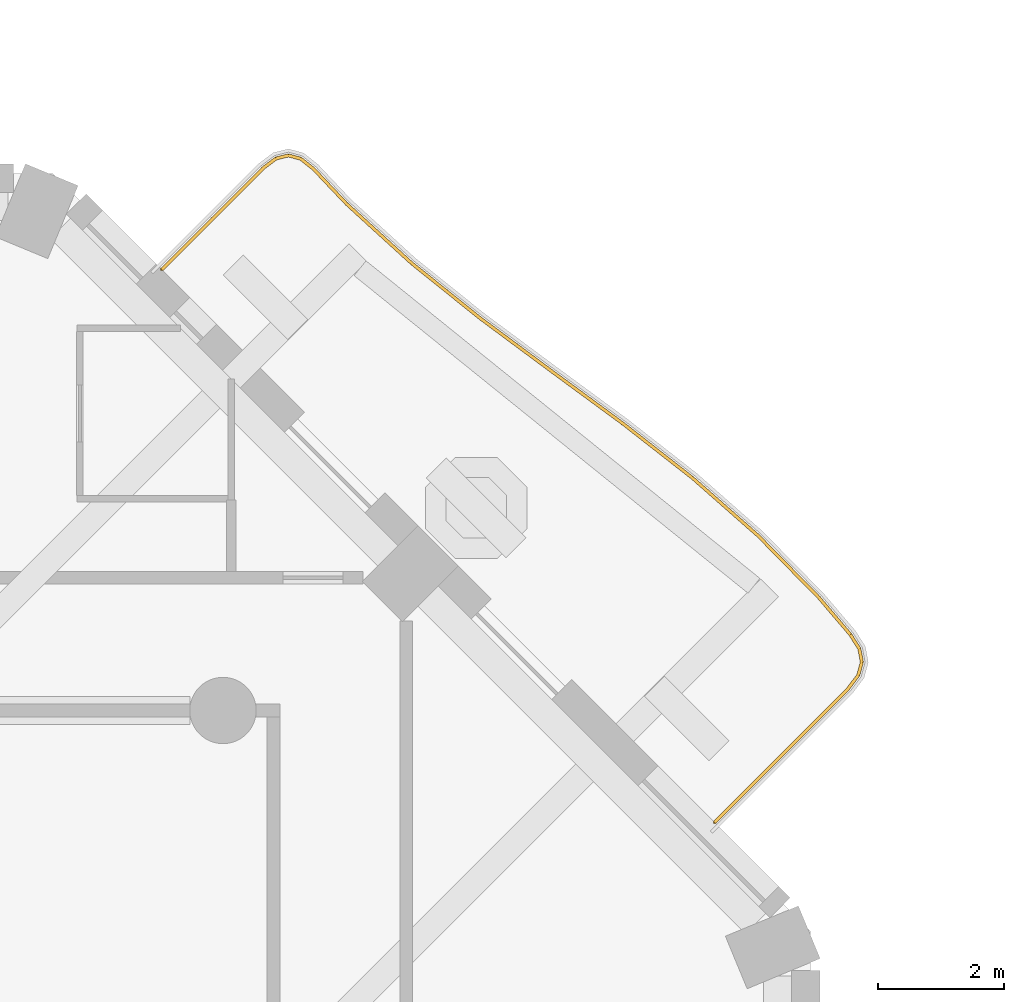
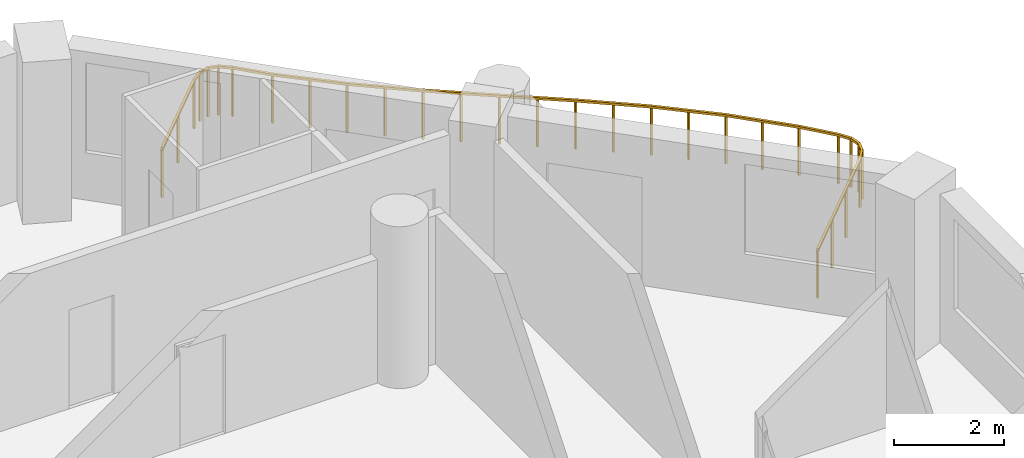
# One storey, part 18 of 19: 1 railing.
"""IFC4 building model written with IfcOpenShell, lengths in metres."""

import ifcopenshell
import ifcopenshell.guid

model = None  # the IFC model being written
_history = None  # IfcOwnerHistory: only IFC2X3 demands one
_inside = {}  # id of a spatial element -> (the spatial element, [elements in it])
_under = {}  # id of a project, library or spatial element -> (it, [spatial elements below it])
_declared = {}  # id of a project -> (the project, [libraries it declares])
_typed = {}  # id of a type object -> (the type object, [elements of that type])
_made_of = {}  # id of a material, layer set ... -> (it, [elements and type objects made of it])


def new_model(schema):
    """Start an empty IFC model of exactly this schema.

    Asked for "IFC4X3", IfcOpenShell would pick the latest addendum, in which some entities
    have other attributes; the version numbers below select the first issue.
    IFC2X3 requires an IfcOwnerHistory on every rooted entity: one is made here for all.
    """
    global model, _history
    if schema == "IFC4X3":
        model = ifcopenshell.file(schema_version=(4, 3, 0, 0))
    else:
        model = ifcopenshell.file(schema=schema)
    _inside.clear()
    _under.clear()
    _declared.clear()
    _typed.clear()
    _made_of.clear()
    _history = None
    if model.schema == "IFC2X3":
        org = make("IfcOrganization", Name="unknown")
        user = make(
            "IfcPersonAndOrganization",
            ThePerson=make("IfcPerson", FamilyName="unknown"),
            TheOrganization=org,
        )
        app = make(
            "IfcApplication",
            ApplicationDeveloper=org,
            Version="unknown",
            ApplicationFullName="unknown",
            ApplicationIdentifier="unknown",
        )
        _history = make(
            "IfcOwnerHistory",
            OwningUser=user,
            OwningApplication=app,
            ChangeAction="ADDED",
            CreationDate=0,
        )
    return model


def make(cls, **values):
    """One entity of the class cls with the attributes given. An attribute that is None is left unset."""
    return model.create_entity(
        cls, **{name: value for name, value in values.items() if value is not None}
    )


def rooted(cls, **values):
    """An entity with a GlobalId (a new one), such as an element, a storey or a relation."""
    return make(cls, GlobalId=ifcopenshell.guid.new(), OwnerHistory=_history, **values)


def si_unit(unit_type, name, prefix=None):
    """IfcSIUnit, for example si_unit("LENGTHUNIT", "METRE", prefix="MILLI")."""
    return make("IfcSIUnit", UnitType=unit_type, Prefix=prefix, Name=name)


def assignment(units):
    """IfcUnitAssignment: the units of a project."""
    return None if units is None else make("IfcUnitAssignment", Units=units)


def point(xyz):
    """IfcCartesianPoint."""
    return None if xyz is None else make("IfcCartesianPoint", Coordinates=xyz)


def direction(xyz):
    """IfcDirection."""
    return None if xyz is None else make("IfcDirection", DirectionRatios=xyz)


def frame(location, z_axis=None, x_axis=None):
    """IfcAxis2Placement3D, a coordinate frame: its origin and axes. An axis left out is left unset."""
    return make(
        "IfcAxis2Placement3D",
        Location=point(location),
        Axis=direction(z_axis),
        RefDirection=direction(x_axis),
    )


def frame_2d(location, x_axis=None):
    """IfcAxis2Placement2D, a coordinate frame in the plane: its origin and x axis."""
    return make(
        "IfcAxis2Placement2D", Location=point(location), RefDirection=direction(x_axis)
    )


def origin():
    """The frame at (0, 0, 0) with its axes left unset."""
    return frame((0.0, 0.0, 0.0))


def origin_2d():
    """The frame at (0, 0) in the plane with its x axis left unset."""
    return frame_2d((0.0, 0.0))


def place(relative_to, where):
    """IfcLocalPlacement: puts the frame where relative to a parent placement (None: the world)."""
    return make(
        "IfcLocalPlacement", PlacementRelTo=relative_to, RelativePlacement=where
    )


def context(
    kind, dimensions, precision=None, world=None, true_north=None, identifier=None
):
    """IfcGeometricRepresentationContext, for example the 3D "Model" context."""
    return make(
        "IfcGeometricRepresentationContext",
        ContextIdentifier=identifier,
        ContextType=kind,
        CoordinateSpaceDimension=dimensions,
        Precision=precision,
        WorldCoordinateSystem=world,
        TrueNorth=true_north,
    )


def subcontext(parent, identifier, kind, view, scale=None):
    """IfcGeometricRepresentationSubContext, for example "Body" below "Model"."""
    return make(
        "IfcGeometricRepresentationSubContext",
        ContextIdentifier=identifier,
        ContextType=kind,
        ParentContext=parent,
        TargetScale=scale,
        TargetView=view,
    )


def project(units=None, contexts=None):
    """IfcProject with its units and contexts."""
    return rooted(
        "IfcProject",
        Name="project",
        RepresentationContexts=contexts,
        UnitsInContext=assignment(units),
    )


def spatial(cls, under=None, at=None, **own):
    """A site, building, storey or space (cls), placed at a placement, below another one or the project."""
    s = rooted(cls, ObjectPlacement=at, **own)
    if under is not None:
        _under.setdefault(under.id(), (under, []))[1].append(s)
    return s


def profile(cls, at=None, kind="AREA", **sizes):
    """A parametric profile (cls). Its sizes go by their IFC names, for example OverallWidth=200.0."""
    return make(cls, ProfileType=kind, Position=at, **sizes)


def rectangle(**sizes):
    """IfcRectangleProfileDef."""
    return profile("IfcRectangleProfileDef", **sizes)


def extrude(swept, where, along, depth):
    """IfcExtrudedAreaSolid: the profile swept, set in the frame where, extruded along a direction by depth."""
    return make(
        "IfcExtrudedAreaSolid",
        SweptArea=swept,
        Position=where,
        ExtrudedDirection=direction(along),
        Depth=depth,
    )


def shape(context_of_items, identifier, shape_type, items):
    """IfcShapeRepresentation: the items that make up one representation, for example the "Body"."""
    return make(
        "IfcShapeRepresentation",
        ContextOfItems=context_of_items,
        RepresentationIdentifier=identifier,
        RepresentationType=shape_type,
        Items=items,
    )


def material(Name=None, Category=None):
    """IfcMaterial."""
    return make("IfcMaterial", Name=Name, Category=Category)


def made_of(thing, what):
    """Note that an element or type object is made of a material, layer set ...; save() writes the relation."""
    if what is not None:
        _made_of.setdefault(what.id(), (what, []))[1].append(thing)
    return thing


def type_object(cls, material=None, **own):
    """A type object (cls), such as IfcWallType, which elements share."""
    return made_of(rooted(cls, **own), material)


def element(
    cls,
    number,
    at=None,
    inside=None,
    cuts=None,
    type_object=None,
    material=None,
    context=None,
    identifier="Body",
    shape_type=None,
    held_by="IfcProductDefinitionShape",
    body=None,
    shapes=None,
    **own,
):
    """One element of the class cls, such as IfcWall. Its Tag is "e" and its number.

    at: its placement. inside: the storey or other place that contains it. cuts: it is an
    opening in that element (IfcRelVoidsElement). A single representation is given by context,
    identifier, shape_type and body (its items); several are given by shapes. held_by: the class
    of the entity that holds the representations. save() writes the other relations.
    """
    e = rooted(cls, Tag="e%d" % number, ObjectPlacement=at, **own)
    if body is not None:
        shapes = [shape(context, identifier, shape_type, body)]
    if shapes is not None:
        e.Representation = make(held_by, Representations=shapes)
    if inside is not None:
        _inside.setdefault(inside.id(), (inside, []))[1].append(e)
    if cuts is not None:
        rooted(
            "IfcRelVoidsElement", RelatingBuildingElement=cuts, RelatedOpeningElement=e
        )
    if type_object is not None:
        _typed.setdefault(type_object.id(), (type_object, []))[1].append(e)
    return made_of(e, material)


def aggregate(whole, parts):
    """IfcRelAggregates: a whole, such as a stair, and the parts it consists of."""
    return rooted("IfcRelAggregates", RelatingObject=whole, RelatedObjects=parts)


def save(model, path):
    """Write the relations noted so far, then the file.

    IfcRelAggregates (storeys below a building ...), IfcRelContainedInSpatialStructure (elements
    in a storey), IfcRelDefinesByType, IfcRelAssociatesMaterial and IfcRelDeclares: one each for
    every whole, place, type object, material and project.
    """
    for whole, parts in _under.values():
        aggregate(whole, parts)
    for where, things in _inside.values():
        rooted(
            "IfcRelContainedInSpatialStructure",
            RelatedElements=things,
            RelatingStructure=where,
        )
    for kind, things in _typed.values():
        rooted("IfcRelDefinesByType", RelatedObjects=things, RelatingType=kind)
    for what, things in _made_of.values():
        rooted("IfcRelAssociatesMaterial", RelatedObjects=things, RelatingMaterial=what)
    for by, libraries in _declared.values():
        rooted("IfcRelDeclares", RelatingContext=by, RelatedDefinitions=libraries)
    model.write(path)


model = new_model("IFC4")

# Units and contexts
model_context = context("Model", 3, precision=1e-05, world=origin(), true_north=direction((0.0, 1.0)))
body_context = subcontext(model_context, "Body", "Model", "MODEL_VIEW")
ifc_project = project(units=[si_unit("LENGTHUNIT", "METRE"), si_unit("AREAUNIT", "SQUARE_METRE"), si_unit("VOLUMEUNIT", "CUBIC_METRE"), si_unit("PLANEANGLEUNIT", "RADIAN"), si_unit("MASSUNIT", "GRAM", prefix="KILO")], contexts=[model_context])

# Site, building, storey
site_placement = place(None, origin())
site = spatial("IfcSite", under=ifc_project, at=site_placement, CompositionType="ELEMENT")
building_placement = place(site_placement, origin())
building = spatial("IfcBuilding", under=site, at=building_placement, Name="Cypress Arch Tower", CompositionType="ELEMENT")
storey_placement = place(building_placement, frame((0.0, 0.0, 138.300048828125)))
storey = spatial("IfcBuildingStorey", under=building, at=storey_placement, Name="L30", CompositionType="ELEMENT", Elevation=138.300048828125)

# Railing
ifc_material = material(Name="Powder-coated steel posts and rods, 100 mm clear between rods", Category="steel")
railing_type = type_object("IfcRailingType", Name="Balcony guard GR1100", PredefinedType="GUARDRAIL", material=ifc_material)
railing_placement = place(storey_placement, frame((14.33251953125, 24.479736328125, 0.0)))
element("IfcRailing", 1, at=railing_placement, inside=storey, type_object=railing_type, Name="Balcony guard L30-A07", PredefinedType="GUARDRAIL", context=body_context, shape_type="SweptSolid", body=[
    extrude(rectangle(XDim=0.050048828125, YDim=0.050048828125, at=origin_2d()), frame((0.0, 0.0, 1.0751953125), z_axis=(0.707106781187, 0.707106781187, 0.0), x_axis=(-0.707106781187, 0.707106781187, 0.0)), (0.0, 0.0, 1.0), 2.262939453125),
    extrude(rectangle(XDim=0.050048828125, YDim=0.050048828125, at=origin_2d()), frame((1.60009765625, 1.60009765625, 1.0751953125), z_axis=(0.800224831347, 0.599700107801, 0.0), x_axis=(-0.599700107801, 0.800224831347, 0.0)), (0.0, 0.0, 1.0), 0.260498046875),
    extrude(rectangle(XDim=0.050048828125, YDim=0.050048828125, at=origin_2d()), frame((1.80859375, 1.75634765625, 1.0751953125), z_axis=(0.971967708682, 0.235114383397, 0.0), x_axis=(-0.235114383397, 0.971967708682, 0.0)), (0.0, 0.0, 1.0), 0.201416015625),
    extrude(rectangle(XDim=0.050048828125, YDim=0.050048828125, at=origin_2d()), frame((2.00439453125, 1.8037109375, 1.0751953125), z_axis=(0.965015486922, -0.262192887013, 0.0), x_axis=(0.262192887013, 0.965015486922, 0.0)), (0.0, 0.0, 1.0), 0.201171875),
    extrude(rectangle(XDim=0.050048828125, YDim=0.050048828125, at=origin_2d()), frame((2.198486328125, 1.7509765625, 1.0751953125), z_axis=(0.782601054176, -0.622523565822, 0.0), x_axis=(0.622523565822, 0.782601054176, 0.0)), (0.0, 0.0, 1.0), 0.2607421875),
    extrude(rectangle(XDim=0.050048828125, YDim=0.050048828125, at=origin_2d()), frame((2.402587890625, 1.588623046875, 1.0751953125), z_axis=(0.686764870564, -0.726879641041, 0.0), x_axis=(0.726879641041, 0.686764870564, 0.0)), (0.0, 0.0, 1.0), 0.7607421875),
    extrude(rectangle(XDim=0.050048828125, YDim=0.050048828125, at=origin_2d()), frame((2.925048828125, 1.03564453125, 1.0751953125), z_axis=(0.738842705585, -0.673877923963, 0.0), x_axis=(0.673877923963, 0.738842705585, 0.0)), (0.0, 0.0, 1.0), 1.390380859375),
    extrude(rectangle(XDim=0.050048828125, YDim=0.050048828125, at=origin_2d()), frame((3.952392578125, 0.0986328125, 1.0751953125), z_axis=(0.779912732651, -0.625888272336, 0.0), x_axis=(0.625888272336, 0.779912732651, 0.0)), (0.0, 0.0, 1.0), 1.396484375),
    extrude(rectangle(XDim=0.050048828125, YDim=0.050048828125, at=origin_2d()), frame((5.04150390625, -0.775390625, 1.0751953125), z_axis=(0.803310335196, -0.595560664724, 0.0), x_axis=(0.595560664724, 0.803310335196, 0.0)), (0.0, 0.0, 1.0), 1.40185546875),
    extrude(rectangle(XDim=0.050048828125, YDim=0.050048828125, at=origin_2d()), frame((6.167724609375, -1.6103515625, 1.0751953125), z_axis=(0.805961559768, -0.591967874277, 0.0), x_axis=(0.591967874277, 0.805961559768, 0.0)), (0.0, 0.0, 1.0), 1.40087890625),
    extrude(rectangle(XDim=0.050048828125, YDim=0.050048828125, at=origin_2d()), frame((7.296875, -2.439697265625, 1.0751953125), z_axis=(0.787859703603, -0.615854761643, 0.0), x_axis=(0.615854761643, 0.787859703603, 0.0)), (0.0, 0.0, 1.0), 1.393798828125),
    extrude(rectangle(XDim=0.050048828125, YDim=0.050048828125, at=origin_2d()), frame((8.39501953125, -3.298095703125, 1.0751953125), z_axis=(0.75078343671, -0.66054843211, 0.0), x_axis=(0.66054843211, 0.75078343671, 0.0)), (0.0, 0.0, 1.0), 1.38525390625),
    extrude(rectangle(XDim=0.050048828125, YDim=0.050048828125, at=origin_2d()), frame((9.43505859375, -4.213134765625, 1.0751953125), z_axis=(0.700451053304, -0.713700442711, 0.0), x_axis=(0.713700442711, 0.700451053304, 0.0)), (0.0, 0.0, 1.0), 1.382080078125),
    extrude(rectangle(XDim=0.050048828125, YDim=0.050048828125, at=origin_2d()), frame((10.403076171875, -5.199462890625, 1.0751953125), z_axis=(0.648245586072, -0.761431323323, 0.0), x_axis=(0.761431323323, 0.648245586072, 0.0)), (0.0, 0.0, 1.0), 0.75927734375),
    extrude(rectangle(XDim=0.050048828125, YDim=0.050048828125, at=origin_2d()), frame((10.895263671875, -5.777587890625, 1.0751953125), z_axis=(0.535095677287, -0.844791463113, 0.0), x_axis=(0.844791463113, 0.535095677287, 0.0)), (0.0, 0.0, 1.0), 0.266357421875),
    extrude(rectangle(XDim=0.050048828125, YDim=0.050048828125, at=origin_2d()), frame((11.037841796875, -6.002685546875, 1.0751953125), z_axis=(0.186485045284, -0.982457799544, 0.0), x_axis=(0.982457799544, 0.186485045284, 0.0)), (0.0, 0.0, 1.0), 0.214599609375),
    extrude(rectangle(XDim=0.050048828125, YDim=0.050048828125, at=origin_2d()), frame((11.077880859375, -6.213623046875, 1.0751953125), z_axis=(-0.263598072534, -0.964632601645, 0.0), x_axis=(0.964632601645, -0.263598072534, 0.0)), (0.0, 0.0, 1.0), 0.21484375),
    extrude(rectangle(XDim=0.050048828125, YDim=0.050048828125, at=origin_2d()), frame((11.021240234375, -6.4208984375, 1.0751953125), z_axis=(-0.601757109965, -0.798679147472, 0.0), x_axis=(0.798679147472, -0.601757109965, 0.0)), (0.0, 0.0, 1.0), 0.2666015625),
    extrude(rectangle(XDim=0.050048828125, YDim=0.050048828125, at=origin_2d()), frame((10.86083984375, -6.6337890625, 1.0751953125), z_axis=(-0.707106781187, -0.707106781187, 0.0), x_axis=(0.707106781187, -0.707106781187, 0.0)), (0.0, 0.0, 1.0), 2.989013671875),
    extrude(rectangle(XDim=0.0400390625, YDim=0.0400390625, at=origin_2d()), origin(), (0.0, 0.0, 1.0), 1.050048828125),
    extrude(rectangle(XDim=0.0400390625, YDim=0.0400390625, at=origin_2d()), frame((0.800048828125, 0.800048828125, 0.0)), (0.0, 0.0, 1.0), 1.050048828125),
    extrude(rectangle(XDim=0.0400390625, YDim=0.0400390625, at=origin_2d()), frame((1.60009765625, 1.60009765625, 0.0)), (0.0, 0.0, 1.0), 1.050048828125),
    extrude(rectangle(XDim=0.0400390625, YDim=0.0400390625, at=origin_2d()), frame((1.80859375, 1.75634765625, 0.0)), (0.0, 0.0, 1.0), 1.050048828125),
    extrude(rectangle(XDim=0.0400390625, YDim=0.0400390625, at=origin_2d()), frame((2.00439453125, 1.8037109375, 0.0)), (0.0, 0.0, 1.0), 1.050048828125),
    extrude(rectangle(XDim=0.0400390625, YDim=0.0400390625, at=origin_2d()), frame((2.198486328125, 1.7509765625, 0.0)), (0.0, 0.0, 1.0), 1.050048828125),
    extrude(rectangle(XDim=0.0400390625, YDim=0.0400390625, at=origin_2d()), frame((2.402587890625, 1.588623046875, 0.0)), (0.0, 0.0, 1.0), 1.050048828125),
    extrude(rectangle(XDim=0.0400390625, YDim=0.0400390625, at=origin_2d()), frame((2.925048828125, 1.03564453125, 0.0)), (0.0, 0.0, 1.0), 1.050048828125),
    extrude(rectangle(XDim=0.0400390625, YDim=0.0400390625, at=origin_2d()), frame((3.438720703125, 0.567138671875, 0.0)), (0.0, 0.0, 1.0), 1.050048828125),
    extrude(rectangle(XDim=0.0400390625, YDim=0.0400390625, at=origin_2d()), frame((3.952392578125, 0.0986328125, 0.0)), (0.0, 0.0, 1.0), 1.050048828125),
    extrude(rectangle(XDim=0.0400390625, YDim=0.0400390625, at=origin_2d()), frame((4.4970703125, -0.33837890625, 0.0)), (0.0, 0.0, 1.0), 1.050048828125),
    extrude(rectangle(XDim=0.0400390625, YDim=0.0400390625, at=origin_2d()), frame((5.04150390625, -0.775390625, 0.0)), (0.0, 0.0, 1.0), 1.050048828125),
    extrude(rectangle(XDim=0.0400390625, YDim=0.0400390625, at=origin_2d()), frame((5.6044921875, -1.19287109375, 0.0)), (0.0, 0.0, 1.0), 1.050048828125),
    extrude(rectangle(XDim=0.0400390625, YDim=0.0400390625, at=origin_2d()), frame((6.167724609375, -1.6103515625, 0.0)), (0.0, 0.0, 1.0), 1.050048828125),
    extrude(rectangle(XDim=0.0400390625, YDim=0.0400390625, at=origin_2d()), frame((6.732421875, -2.02490234375, 0.0)), (0.0, 0.0, 1.0), 1.050048828125),
    extrude(rectangle(XDim=0.0400390625, YDim=0.0400390625, at=origin_2d()), frame((7.296875, -2.439697265625, 0.0)), (0.0, 0.0, 1.0), 1.050048828125),
    extrude(rectangle(XDim=0.0400390625, YDim=0.0400390625, at=origin_2d()), frame((7.845947265625, -2.868896484375, 0.0)), (0.0, 0.0, 1.0), 1.050048828125),
    extrude(rectangle(XDim=0.0400390625, YDim=0.0400390625, at=origin_2d()), frame((8.39501953125, -3.298095703125, 0.0)), (0.0, 0.0, 1.0), 1.050048828125),
    extrude(rectangle(XDim=0.0400390625, YDim=0.0400390625, at=origin_2d()), frame((8.9150390625, -3.755615234375, 0.0)), (0.0, 0.0, 1.0), 1.050048828125),
    extrude(rectangle(XDim=0.0400390625, YDim=0.0400390625, at=origin_2d()), frame((9.43505859375, -4.213134765625, 0.0)), (0.0, 0.0, 1.0), 1.050048828125),
    extrude(rectangle(XDim=0.0400390625, YDim=0.0400390625, at=origin_2d()), frame((9.9189453125, -4.706298828125, 0.0)), (0.0, 0.0, 1.0), 1.050048828125),
    extrude(rectangle(XDim=0.0400390625, YDim=0.0400390625, at=origin_2d()), frame((10.403076171875, -5.199462890625, 0.0)), (0.0, 0.0, 1.0), 1.050048828125),
    extrude(rectangle(XDim=0.0400390625, YDim=0.0400390625, at=origin_2d()), frame((10.895263671875, -5.777587890625, 0.0)), (0.0, 0.0, 1.0), 1.050048828125),
    extrude(rectangle(XDim=0.0400390625, YDim=0.0400390625, at=origin_2d()), frame((11.037841796875, -6.002685546875, 0.0)), (0.0, 0.0, 1.0), 1.050048828125),
    extrude(rectangle(XDim=0.0400390625, YDim=0.0400390625, at=origin_2d()), frame((11.077880859375, -6.213623046875, 0.0)), (0.0, 0.0, 1.0), 1.050048828125),
    extrude(rectangle(XDim=0.0400390625, YDim=0.0400390625, at=origin_2d()), frame((11.021240234375, -6.4208984375, 0.0)), (0.0, 0.0, 1.0), 1.050048828125),
    extrude(rectangle(XDim=0.0400390625, YDim=0.0400390625, at=origin_2d()), frame((10.86083984375, -6.6337890625, 0.0)), (0.0, 0.0, 1.0), 1.050048828125),
    extrude(rectangle(XDim=0.0400390625, YDim=0.0400390625, at=origin_2d()), frame((10.15625, -7.33837890625, 0.0)), (0.0, 0.0, 1.0), 1.050048828125),
    extrude(rectangle(XDim=0.0400390625, YDim=0.0400390625, at=origin_2d()), frame((9.451904296875, -8.042724609375, 0.0)), (0.0, 0.0, 1.0), 1.050048828125),
    extrude(rectangle(XDim=0.0400390625, YDim=0.0400390625, at=origin_2d()), frame((8.747314453125, -8.747314453125, 0.0)), (0.0, 0.0, 1.0), 1.050048828125),
])

save(model, "model.ifc")
